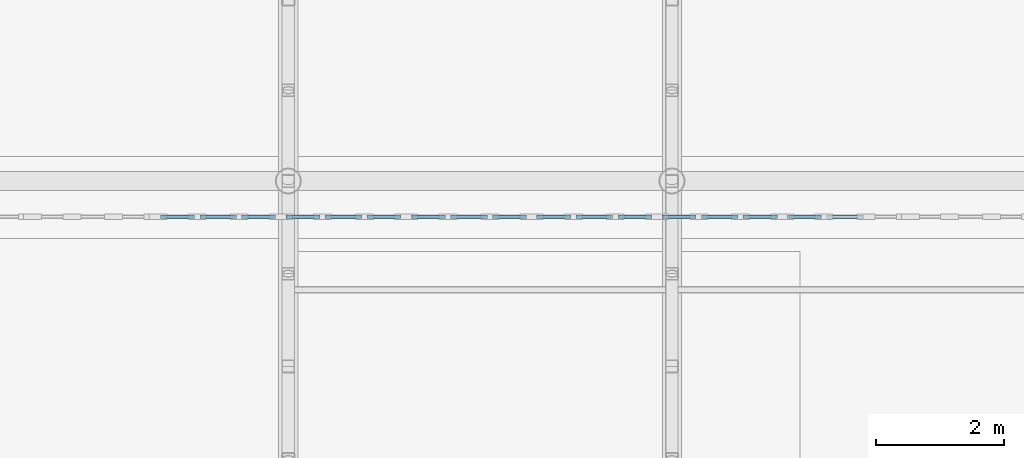
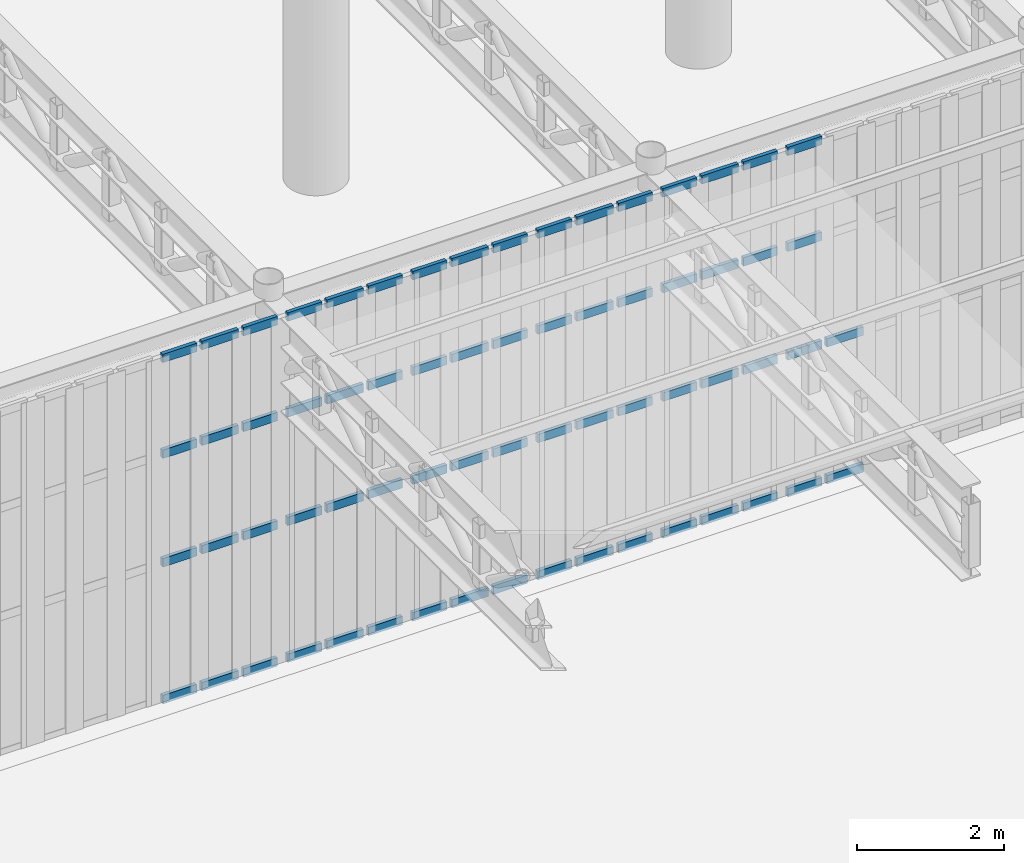
# One storey, part 54 of 118: 66 members, 6 elements without a shape of their own.
"""IFC4 building model written with IfcOpenShell, lengths in metres."""

from ifc_helpers import new_model, si_unit, direction, frame, origin, origin_2d, place, context, subcontext, project, spatial, rectangle, extrude, material, material_profile, profile_set, type_object, element, aggregate, save


model = new_model("IFC4")

# Units and contexts
model_context = context("Model", 3, precision=1e-05, world=origin(), true_north=direction((0.0, 1.0)))
body_context = subcontext(model_context, "Body", "Model", "MODEL_VIEW")
ifc_project = project(units=[si_unit("LENGTHUNIT", "METRE"), si_unit("AREAUNIT", "SQUARE_METRE"), si_unit("VOLUMEUNIT", "CUBIC_METRE"), si_unit("PLANEANGLEUNIT", "RADIAN"), si_unit("MASSUNIT", "GRAM", prefix="KILO")], contexts=[model_context])

# Site, building, storey
site_placement = place(None, origin())
site = spatial("IfcSite", under=ifc_project, at=site_placement, CompositionType="ELEMENT")
building_placement = place(site_placement, origin())
building = spatial("IfcBuilding", under=site, at=building_placement, Name="Kolvaren Corner Interchange", CompositionType="ELEMENT")
storey_placement = place(building_placement, origin())
storey = spatial("IfcBuildingStorey", under=building, at=storey_placement, Name="L01", CompositionType="ELEMENT", Elevation=0.0)

# Curtain wall, members
ifc_material_1 = material(Name="Unitised Aluminium and Solar-Control Glass Curtain Wall", Category="aluminium")
curtain_wall_type = type_object("IfcCurtainWallType", Name="CW-V1-PORTAL", PredefinedType="NOTDEFINED", material=ifc_material_1)
curtain_wall_1_placement = place(storey_placement, origin())
curtain_wall_1 = element("IfcCurtainWall", 1, at=curtain_wall_1_placement, inside=storey, type_object=curtain_wall_type, Name="South Portal Ground Curtain Wall Bay 12", PredefinedType="NOTDEFINED")
ifc_material_2 = material(Name="Anodised Aluminium Framing", Category="aluminium")
ifc_material_profile = material_profile(ifc_material_2, rectangle(XDim=0.06005859375, YDim=0.139892578125, at=origin_2d()), Name="ALU 60x140")
ifc_profile_set = profile_set([ifc_material_profile], Name="Anodised Aluminium Framing")
member_type = type_object("IfcMemberType", Name="TRN-ALU60x140", PredefinedType="USERDEFINED", material=ifc_profile_set)
member_1_placement = place(storey_placement, frame((94.002197265625, 24.340087890625, 0.030029296875), z_axis=(1.0, 0.0, 0.0), x_axis=(0.0, 1.0, 0.0)))
member_1 = element("IfcMember", 2, at=member_1_placement, type_object=member_type, Name="CW-012 transom 1.1", ObjectType="TRANSOM", PredefinedType="USERDEFINED", context=body_context, shape_type="SweptSolid", body=[
    extrude(rectangle(XDim=0.06005859375, YDim=0.139892578125, at=origin_2d()), origin(), (0.0, 0.0, 1.0), 0.53369140625),
])
member_2_placement = place(storey_placement, frame((94.002197265625, 24.340087890625, 2.300048828125), z_axis=(1.0, 0.0, 0.0), x_axis=(0.0, 1.0, 0.0)))
member_2 = element("IfcMember", 3, at=member_2_placement, type_object=member_type, Name="CW-012 transom 1.2", ObjectType="TRANSOM", PredefinedType="USERDEFINED", context=body_context, shape_type="SweptSolid", body=[
    extrude(rectangle(XDim=0.06005859375, YDim=0.139892578125, at=origin_2d()), origin(), (0.0, 0.0, 1.0), 0.53369140625),
])
member_3_placement = place(storey_placement, frame((94.002197265625, 24.340087890625, 4.10009765625), z_axis=(1.0, 0.0, 0.0), x_axis=(0.0, 1.0, 0.0)))
member_3 = element("IfcMember", 4, at=member_3_placement, type_object=member_type, Name="CW-012 transom 1.3", ObjectType="TRANSOM", PredefinedType="USERDEFINED", context=body_context, shape_type="SweptSolid", body=[
    extrude(rectangle(XDim=0.06005859375, YDim=0.139892578125, at=origin_2d()), origin(), (0.0, 0.0, 1.0), 0.53369140625),
])
member_4_placement = place(storey_placement, frame((94.002197265625, 24.340087890625, 5.68994140625), z_axis=(1.0, 0.0, 0.0), x_axis=(0.0, 1.0, 0.0)))
member_4 = element("IfcMember", 5, at=member_4_placement, type_object=member_type, Name="CW-012 transom 1.4", ObjectType="TRANSOM", PredefinedType="USERDEFINED", context=body_context, shape_type="SweptSolid", body=[
    extrude(rectangle(XDim=0.06005859375, YDim=0.139892578125, at=origin_2d()), origin(), (0.0, 0.0, 1.0), 0.53369140625),
])
member_5_placement = place(storey_placement, frame((94.615966796875, 24.340087890625, 0.030029296875), z_axis=(1.0, 0.0, 0.0), x_axis=(0.0, 1.0, 0.0)))
member_5 = element("IfcMember", 6, at=member_5_placement, type_object=member_type, Name="CW-012 transom 2.1", ObjectType="TRANSOM", PredefinedType="USERDEFINED", context=body_context, shape_type="SweptSolid", body=[
    extrude(rectangle(XDim=0.06005859375, YDim=0.139892578125, at=origin_2d()), origin(), (0.0, 0.0, 1.0), 0.57373046875),
])
member_6_placement = place(storey_placement, frame((94.615966796875, 24.340087890625, 2.300048828125), z_axis=(1.0, 0.0, 0.0), x_axis=(0.0, 1.0, 0.0)))
member_6 = element("IfcMember", 7, at=member_6_placement, type_object=member_type, Name="CW-012 transom 2.2", ObjectType="TRANSOM", PredefinedType="USERDEFINED", context=body_context, shape_type="SweptSolid", body=[
    extrude(rectangle(XDim=0.06005859375, YDim=0.139892578125, at=origin_2d()), origin(), (0.0, 0.0, 1.0), 0.57373046875),
])
member_7_placement = place(storey_placement, frame((94.615966796875, 24.340087890625, 4.10009765625), z_axis=(1.0, 0.0, 0.0), x_axis=(0.0, 1.0, 0.0)))
member_7 = element("IfcMember", 8, at=member_7_placement, type_object=member_type, Name="CW-012 transom 2.3", ObjectType="TRANSOM", PredefinedType="USERDEFINED", context=body_context, shape_type="SweptSolid", body=[
    extrude(rectangle(XDim=0.06005859375, YDim=0.139892578125, at=origin_2d()), origin(), (0.0, 0.0, 1.0), 0.57373046875),
])
member_8_placement = place(storey_placement, frame((94.615966796875, 24.340087890625, 5.68994140625), z_axis=(1.0, 0.0, 0.0), x_axis=(0.0, 1.0, 0.0)))
member_8 = element("IfcMember", 9, at=member_8_placement, type_object=member_type, Name="CW-012 transom 2.4", ObjectType="TRANSOM", PredefinedType="USERDEFINED", context=body_context, shape_type="SweptSolid", body=[
    extrude(rectangle(XDim=0.06005859375, YDim=0.139892578125, at=origin_2d()), origin(), (0.0, 0.0, 1.0), 0.57373046875),
])
member_9_placement = place(storey_placement, frame((95.26953125, 24.340087890625, 0.030029296875), z_axis=(1.0, 0.0, 0.0), x_axis=(0.0, 1.0, 0.0)))
member_9 = element("IfcMember", 10, at=member_9_placement, type_object=member_type, Name="CW-012 transom 3.1", ObjectType="TRANSOM", PredefinedType="USERDEFINED", context=body_context, shape_type="SweptSolid", body=[
    extrude(rectangle(XDim=0.06005859375, YDim=0.139892578125, at=origin_2d()), origin(), (0.0, 0.0, 1.0), 0.53369140625),
])
member_10_placement = place(storey_placement, frame((95.26953125, 24.340087890625, 2.300048828125), z_axis=(1.0, 0.0, 0.0), x_axis=(0.0, 1.0, 0.0)))
member_10 = element("IfcMember", 11, at=member_10_placement, type_object=member_type, Name="CW-012 transom 3.2", ObjectType="TRANSOM", PredefinedType="USERDEFINED", context=body_context, shape_type="SweptSolid", body=[
    extrude(rectangle(XDim=0.06005859375, YDim=0.139892578125, at=origin_2d()), origin(), (0.0, 0.0, 1.0), 0.53369140625),
])
member_11_placement = place(storey_placement, frame((95.26953125, 24.340087890625, 4.10009765625), z_axis=(1.0, 0.0, 0.0), x_axis=(0.0, 1.0, 0.0)))
member_11 = element("IfcMember", 12, at=member_11_placement, type_object=member_type, Name="CW-012 transom 3.3", ObjectType="TRANSOM", PredefinedType="USERDEFINED", context=body_context, shape_type="SweptSolid", body=[
    extrude(rectangle(XDim=0.06005859375, YDim=0.139892578125, at=origin_2d()), origin(), (0.0, 0.0, 1.0), 0.53369140625),
])
member_12_placement = place(storey_placement, frame((95.26953125, 24.340087890625, 5.68994140625), z_axis=(1.0, 0.0, 0.0), x_axis=(0.0, 1.0, 0.0)))
member_12 = element("IfcMember", 13, at=member_12_placement, type_object=member_type, Name="CW-012 transom 3.4", ObjectType="TRANSOM", PredefinedType="USERDEFINED", context=body_context, shape_type="SweptSolid", body=[
    extrude(rectangle(XDim=0.06005859375, YDim=0.139892578125, at=origin_2d()), origin(), (0.0, 0.0, 1.0), 0.53369140625),
])
aggregate(curtain_wall_1, [member_1, member_2, member_3, member_4, member_5, member_6, member_7, member_8, member_9, member_10, member_11, member_12])

curtain_wall_2_placement = place(storey_placement, origin())
curtain_wall_2 = element("IfcCurtainWall", 14, at=curtain_wall_2_placement, inside=storey, type_object=curtain_wall_type, Name="South Portal Ground Curtain Wall Bay 13", PredefinedType="NOTDEFINED")
member_13_placement = place(storey_placement, frame((95.96337890625, 24.340087890625, 0.030029296875), z_axis=(1.0, 0.0, 0.0), x_axis=(0.0, 1.0, 0.0)))
member_13 = element("IfcMember", 15, at=member_13_placement, type_object=member_type, Name="CW-013 transom 1.1", ObjectType="TRANSOM", PredefinedType="USERDEFINED", context=body_context, shape_type="SweptSolid", body=[
    extrude(rectangle(XDim=0.06005859375, YDim=0.139892578125, at=origin_2d()), origin(), (0.0, 0.0, 1.0), 0.53369140625),
])
member_14_placement = place(storey_placement, frame((95.96337890625, 24.340087890625, 2.300048828125), z_axis=(1.0, 0.0, 0.0), x_axis=(0.0, 1.0, 0.0)))
member_14 = element("IfcMember", 16, at=member_14_placement, type_object=member_type, Name="CW-013 transom 1.2", ObjectType="TRANSOM", PredefinedType="USERDEFINED", context=body_context, shape_type="SweptSolid", body=[
    extrude(rectangle(XDim=0.06005859375, YDim=0.139892578125, at=origin_2d()), origin(), (0.0, 0.0, 1.0), 0.53369140625),
])
member_15_placement = place(storey_placement, frame((95.96337890625, 24.340087890625, 4.10009765625), z_axis=(1.0, 0.0, 0.0), x_axis=(0.0, 1.0, 0.0)))
member_15 = element("IfcMember", 17, at=member_15_placement, type_object=member_type, Name="CW-013 transom 1.3", ObjectType="TRANSOM", PredefinedType="USERDEFINED", context=body_context, shape_type="SweptSolid", body=[
    extrude(rectangle(XDim=0.06005859375, YDim=0.139892578125, at=origin_2d()), origin(), (0.0, 0.0, 1.0), 0.53369140625),
])
member_16_placement = place(storey_placement, frame((95.96337890625, 24.340087890625, 5.68994140625), z_axis=(1.0, 0.0, 0.0), x_axis=(0.0, 1.0, 0.0)))
member_16 = element("IfcMember", 18, at=member_16_placement, type_object=member_type, Name="CW-013 transom 1.4", ObjectType="TRANSOM", PredefinedType="USERDEFINED", context=body_context, shape_type="SweptSolid", body=[
    extrude(rectangle(XDim=0.06005859375, YDim=0.139892578125, at=origin_2d()), origin(), (0.0, 0.0, 1.0), 0.53369140625),
])
member_17_placement = place(storey_placement, frame((96.576904296875, 24.340087890625, 0.030029296875), z_axis=(1.0, 0.0, 0.0), x_axis=(0.0, 1.0, 0.0)))
member_17 = element("IfcMember", 19, at=member_17_placement, type_object=member_type, Name="CW-013 transom 2.1", ObjectType="TRANSOM", PredefinedType="USERDEFINED", context=body_context, shape_type="SweptSolid", body=[
    extrude(rectangle(XDim=0.06005859375, YDim=0.139892578125, at=origin_2d()), origin(), (0.0, 0.0, 1.0), 0.57373046875),
])
member_18_placement = place(storey_placement, frame((96.576904296875, 24.340087890625, 2.300048828125), z_axis=(1.0, 0.0, 0.0), x_axis=(0.0, 1.0, 0.0)))
member_18 = element("IfcMember", 20, at=member_18_placement, type_object=member_type, Name="CW-013 transom 2.2", ObjectType="TRANSOM", PredefinedType="USERDEFINED", context=body_context, shape_type="SweptSolid", body=[
    extrude(rectangle(XDim=0.06005859375, YDim=0.139892578125, at=origin_2d()), origin(), (0.0, 0.0, 1.0), 0.57373046875),
])
member_19_placement = place(storey_placement, frame((96.576904296875, 24.340087890625, 4.10009765625), z_axis=(1.0, 0.0, 0.0), x_axis=(0.0, 1.0, 0.0)))
member_19 = element("IfcMember", 21, at=member_19_placement, type_object=member_type, Name="CW-013 transom 2.3", ObjectType="TRANSOM", PredefinedType="USERDEFINED", context=body_context, shape_type="SweptSolid", body=[
    extrude(rectangle(XDim=0.06005859375, YDim=0.139892578125, at=origin_2d()), origin(), (0.0, 0.0, 1.0), 0.57373046875),
])
member_20_placement = place(storey_placement, frame((96.576904296875, 24.340087890625, 5.68994140625), z_axis=(1.0, 0.0, 0.0), x_axis=(0.0, 1.0, 0.0)))
member_20 = element("IfcMember", 22, at=member_20_placement, type_object=member_type, Name="CW-013 transom 2.4", ObjectType="TRANSOM", PredefinedType="USERDEFINED", context=body_context, shape_type="SweptSolid", body=[
    extrude(rectangle(XDim=0.06005859375, YDim=0.139892578125, at=origin_2d()), origin(), (0.0, 0.0, 1.0), 0.57373046875),
])
member_21_placement = place(storey_placement, frame((97.230712890625, 24.340087890625, 0.030029296875), z_axis=(1.0, 0.0, 0.0), x_axis=(0.0, 1.0, 0.0)))
member_21 = element("IfcMember", 23, at=member_21_placement, type_object=member_type, Name="CW-013 transom 3.1", ObjectType="TRANSOM", PredefinedType="USERDEFINED", context=body_context, shape_type="SweptSolid", body=[
    extrude(rectangle(XDim=0.06005859375, YDim=0.139892578125, at=origin_2d()), origin(), (0.0, 0.0, 1.0), 0.53369140625),
])
member_22_placement = place(storey_placement, frame((97.230712890625, 24.340087890625, 2.300048828125), z_axis=(1.0, 0.0, 0.0), x_axis=(0.0, 1.0, 0.0)))
member_22 = element("IfcMember", 24, at=member_22_placement, type_object=member_type, Name="CW-013 transom 3.2", ObjectType="TRANSOM", PredefinedType="USERDEFINED", context=body_context, shape_type="SweptSolid", body=[
    extrude(rectangle(XDim=0.06005859375, YDim=0.139892578125, at=origin_2d()), origin(), (0.0, 0.0, 1.0), 0.53369140625),
])
member_23_placement = place(storey_placement, frame((97.230712890625, 24.340087890625, 4.10009765625), z_axis=(1.0, 0.0, 0.0), x_axis=(0.0, 1.0, 0.0)))
member_23 = element("IfcMember", 25, at=member_23_placement, type_object=member_type, Name="CW-013 transom 3.3", ObjectType="TRANSOM", PredefinedType="USERDEFINED", context=body_context, shape_type="SweptSolid", body=[
    extrude(rectangle(XDim=0.06005859375, YDim=0.139892578125, at=origin_2d()), origin(), (0.0, 0.0, 1.0), 0.53369140625),
])
member_24_placement = place(storey_placement, frame((97.230712890625, 24.340087890625, 5.68994140625), z_axis=(1.0, 0.0, 0.0), x_axis=(0.0, 1.0, 0.0)))
member_24 = element("IfcMember", 26, at=member_24_placement, type_object=member_type, Name="CW-013 transom 3.4", ObjectType="TRANSOM", PredefinedType="USERDEFINED", context=body_context, shape_type="SweptSolid", body=[
    extrude(rectangle(XDim=0.06005859375, YDim=0.139892578125, at=origin_2d()), origin(), (0.0, 0.0, 1.0), 0.53369140625),
])
aggregate(curtain_wall_2, [member_13, member_14, member_15, member_16, member_17, member_18, member_19, member_20, member_21, member_22, member_23, member_24])

curtain_wall_3_placement = place(storey_placement, origin())
curtain_wall_3 = element("IfcCurtainWall", 27, at=curtain_wall_3_placement, inside=storey, type_object=curtain_wall_type, Name="South Portal Ground Curtain Wall Bay 14", PredefinedType="NOTDEFINED")
member_25_placement = place(storey_placement, frame((97.92431640625, 24.340087890625, 0.030029296875), z_axis=(1.0, 0.0, 0.0), x_axis=(0.0, 1.0, 0.0)))
member_25 = element("IfcMember", 28, at=member_25_placement, type_object=member_type, Name="CW-014 transom 1.1", ObjectType="TRANSOM", PredefinedType="USERDEFINED", context=body_context, shape_type="SweptSolid", body=[
    extrude(rectangle(XDim=0.06005859375, YDim=0.139892578125, at=origin_2d()), origin(), (0.0, 0.0, 1.0), 0.533935546875),
])
member_26_placement = place(storey_placement, frame((97.92431640625, 24.340087890625, 2.300048828125), z_axis=(1.0, 0.0, 0.0), x_axis=(0.0, 1.0, 0.0)))
member_26 = element("IfcMember", 29, at=member_26_placement, type_object=member_type, Name="CW-014 transom 1.2", ObjectType="TRANSOM", PredefinedType="USERDEFINED", context=body_context, shape_type="SweptSolid", body=[
    extrude(rectangle(XDim=0.06005859375, YDim=0.139892578125, at=origin_2d()), origin(), (0.0, 0.0, 1.0), 0.533935546875),
])
member_27_placement = place(storey_placement, frame((97.92431640625, 24.340087890625, 4.10009765625), z_axis=(1.0, 0.0, 0.0), x_axis=(0.0, 1.0, 0.0)))
member_27 = element("IfcMember", 30, at=member_27_placement, type_object=member_type, Name="CW-014 transom 1.3", ObjectType="TRANSOM", PredefinedType="USERDEFINED", context=body_context, shape_type="SweptSolid", body=[
    extrude(rectangle(XDim=0.06005859375, YDim=0.139892578125, at=origin_2d()), origin(), (0.0, 0.0, 1.0), 0.533935546875),
])
member_28_placement = place(storey_placement, frame((97.92431640625, 24.340087890625, 5.68994140625), z_axis=(1.0, 0.0, 0.0), x_axis=(0.0, 1.0, 0.0)))
member_28 = element("IfcMember", 31, at=member_28_placement, type_object=member_type, Name="CW-014 transom 1.4", ObjectType="TRANSOM", PredefinedType="USERDEFINED", context=body_context, shape_type="SweptSolid", body=[
    extrude(rectangle(XDim=0.06005859375, YDim=0.139892578125, at=origin_2d()), origin(), (0.0, 0.0, 1.0), 0.533935546875),
])
member_29_placement = place(storey_placement, frame((98.5380859375, 24.340087890625, 0.030029296875), z_axis=(1.0, 0.0, 0.0), x_axis=(0.0, 1.0, 0.0)))
member_29 = element("IfcMember", 32, at=member_29_placement, type_object=member_type, Name="CW-014 transom 2.1", ObjectType="TRANSOM", PredefinedType="USERDEFINED", context=body_context, shape_type="SweptSolid", body=[
    extrude(rectangle(XDim=0.06005859375, YDim=0.139892578125, at=origin_2d()), origin(), (0.0, 0.0, 1.0), 0.57373046875),
])
member_30_placement = place(storey_placement, frame((98.5380859375, 24.340087890625, 2.300048828125), z_axis=(1.0, 0.0, 0.0), x_axis=(0.0, 1.0, 0.0)))
member_30 = element("IfcMember", 33, at=member_30_placement, type_object=member_type, Name="CW-014 transom 2.2", ObjectType="TRANSOM", PredefinedType="USERDEFINED", context=body_context, shape_type="SweptSolid", body=[
    extrude(rectangle(XDim=0.06005859375, YDim=0.139892578125, at=origin_2d()), origin(), (0.0, 0.0, 1.0), 0.57373046875),
])
member_31_placement = place(storey_placement, frame((98.5380859375, 24.340087890625, 4.10009765625), z_axis=(1.0, 0.0, 0.0), x_axis=(0.0, 1.0, 0.0)))
member_31 = element("IfcMember", 34, at=member_31_placement, type_object=member_type, Name="CW-014 transom 2.3", ObjectType="TRANSOM", PredefinedType="USERDEFINED", context=body_context, shape_type="SweptSolid", body=[
    extrude(rectangle(XDim=0.06005859375, YDim=0.139892578125, at=origin_2d()), origin(), (0.0, 0.0, 1.0), 0.57373046875),
])
member_32_placement = place(storey_placement, frame((98.5380859375, 24.340087890625, 5.68994140625), z_axis=(1.0, 0.0, 0.0), x_axis=(0.0, 1.0, 0.0)))
member_32 = element("IfcMember", 35, at=member_32_placement, type_object=member_type, Name="CW-014 transom 2.4", ObjectType="TRANSOM", PredefinedType="USERDEFINED", context=body_context, shape_type="SweptSolid", body=[
    extrude(rectangle(XDim=0.06005859375, YDim=0.139892578125, at=origin_2d()), origin(), (0.0, 0.0, 1.0), 0.57373046875),
])
member_33_placement = place(storey_placement, frame((99.19189453125, 24.340087890625, 0.030029296875), z_axis=(1.0, 0.0, 0.0), x_axis=(0.0, 1.0, 0.0)))
member_33 = element("IfcMember", 36, at=member_33_placement, type_object=member_type, Name="CW-014 transom 3.1", ObjectType="TRANSOM", PredefinedType="USERDEFINED", context=body_context, shape_type="SweptSolid", body=[
    extrude(rectangle(XDim=0.06005859375, YDim=0.139892578125, at=origin_2d()), origin(), (0.0, 0.0, 1.0), 0.53369140625),
])
member_34_placement = place(storey_placement, frame((99.19189453125, 24.340087890625, 2.300048828125), z_axis=(1.0, 0.0, 0.0), x_axis=(0.0, 1.0, 0.0)))
member_34 = element("IfcMember", 37, at=member_34_placement, type_object=member_type, Name="CW-014 transom 3.2", ObjectType="TRANSOM", PredefinedType="USERDEFINED", context=body_context, shape_type="SweptSolid", body=[
    extrude(rectangle(XDim=0.06005859375, YDim=0.139892578125, at=origin_2d()), origin(), (0.0, 0.0, 1.0), 0.53369140625),
])
member_35_placement = place(storey_placement, frame((99.19189453125, 24.340087890625, 4.10009765625), z_axis=(1.0, 0.0, 0.0), x_axis=(0.0, 1.0, 0.0)))
member_35 = element("IfcMember", 38, at=member_35_placement, type_object=member_type, Name="CW-014 transom 3.3", ObjectType="TRANSOM", PredefinedType="USERDEFINED", context=body_context, shape_type="SweptSolid", body=[
    extrude(rectangle(XDim=0.06005859375, YDim=0.139892578125, at=origin_2d()), origin(), (0.0, 0.0, 1.0), 0.53369140625),
])
member_36_placement = place(storey_placement, frame((99.19189453125, 24.340087890625, 5.68994140625), z_axis=(1.0, 0.0, 0.0), x_axis=(0.0, 1.0, 0.0)))
member_36 = element("IfcMember", 39, at=member_36_placement, type_object=member_type, Name="CW-014 transom 3.4", ObjectType="TRANSOM", PredefinedType="USERDEFINED", context=body_context, shape_type="SweptSolid", body=[
    extrude(rectangle(XDim=0.06005859375, YDim=0.139892578125, at=origin_2d()), origin(), (0.0, 0.0, 1.0), 0.53369140625),
])
aggregate(curtain_wall_3, [member_25, member_26, member_27, member_28, member_29, member_30, member_31, member_32, member_33, member_34, member_35, member_36])

curtain_wall_4_placement = place(storey_placement, origin())
curtain_wall_4 = element("IfcCurtainWall", 40, at=curtain_wall_4_placement, inside=storey, type_object=curtain_wall_type, Name="South Portal Ground Curtain Wall Bay 15", PredefinedType="NOTDEFINED")
member_37_placement = place(storey_placement, frame((99.885498046875, 24.340087890625, 0.030029296875), z_axis=(1.0, 0.0, 0.0), x_axis=(0.0, 1.0, 0.0)))
member_37 = element("IfcMember", 41, at=member_37_placement, type_object=member_type, Name="CW-015 transom 1.1", ObjectType="TRANSOM", PredefinedType="USERDEFINED", context=body_context, shape_type="SweptSolid", body=[
    extrude(rectangle(XDim=0.06005859375, YDim=0.139892578125, at=origin_2d()), origin(), (0.0, 0.0, 1.0), 0.53369140625),
])
member_38_placement = place(storey_placement, frame((99.885498046875, 24.340087890625, 2.300048828125), z_axis=(1.0, 0.0, 0.0), x_axis=(0.0, 1.0, 0.0)))
member_38 = element("IfcMember", 42, at=member_38_placement, type_object=member_type, Name="CW-015 transom 1.2", ObjectType="TRANSOM", PredefinedType="USERDEFINED", context=body_context, shape_type="SweptSolid", body=[
    extrude(rectangle(XDim=0.06005859375, YDim=0.139892578125, at=origin_2d()), origin(), (0.0, 0.0, 1.0), 0.53369140625),
])
member_39_placement = place(storey_placement, frame((99.885498046875, 24.340087890625, 4.10009765625), z_axis=(1.0, 0.0, 0.0), x_axis=(0.0, 1.0, 0.0)))
member_39 = element("IfcMember", 43, at=member_39_placement, type_object=member_type, Name="CW-015 transom 1.3", ObjectType="TRANSOM", PredefinedType="USERDEFINED", context=body_context, shape_type="SweptSolid", body=[
    extrude(rectangle(XDim=0.06005859375, YDim=0.139892578125, at=origin_2d()), origin(), (0.0, 0.0, 1.0), 0.53369140625),
])
member_40_placement = place(storey_placement, frame((99.885498046875, 24.340087890625, 5.68994140625), z_axis=(1.0, 0.0, 0.0), x_axis=(0.0, 1.0, 0.0)))
member_40 = element("IfcMember", 44, at=member_40_placement, type_object=member_type, Name="CW-015 transom 1.4", ObjectType="TRANSOM", PredefinedType="USERDEFINED", context=body_context, shape_type="SweptSolid", body=[
    extrude(rectangle(XDim=0.06005859375, YDim=0.139892578125, at=origin_2d()), origin(), (0.0, 0.0, 1.0), 0.53369140625),
])
member_41_placement = place(storey_placement, frame((100.499267578125, 24.340087890625, 0.030029296875), z_axis=(1.0, 0.0, 0.0), x_axis=(0.0, 1.0, 0.0)))
member_41 = element("IfcMember", 45, at=member_41_placement, type_object=member_type, Name="CW-015 transom 2.1", ObjectType="TRANSOM", PredefinedType="USERDEFINED", context=body_context, shape_type="SweptSolid", body=[
    extrude(rectangle(XDim=0.06005859375, YDim=0.139892578125, at=origin_2d()), origin(), (0.0, 0.0, 1.0), 0.57373046875),
])
member_42_placement = place(storey_placement, frame((100.499267578125, 24.340087890625, 2.300048828125), z_axis=(1.0, 0.0, 0.0), x_axis=(0.0, 1.0, 0.0)))
member_42 = element("IfcMember", 46, at=member_42_placement, type_object=member_type, Name="CW-015 transom 2.2", ObjectType="TRANSOM", PredefinedType="USERDEFINED", context=body_context, shape_type="SweptSolid", body=[
    extrude(rectangle(XDim=0.06005859375, YDim=0.139892578125, at=origin_2d()), origin(), (0.0, 0.0, 1.0), 0.57373046875),
])
member_43_placement = place(storey_placement, frame((100.499267578125, 24.340087890625, 4.10009765625), z_axis=(1.0, 0.0, 0.0), x_axis=(0.0, 1.0, 0.0)))
member_43 = element("IfcMember", 47, at=member_43_placement, type_object=member_type, Name="CW-015 transom 2.3", ObjectType="TRANSOM", PredefinedType="USERDEFINED", context=body_context, shape_type="SweptSolid", body=[
    extrude(rectangle(XDim=0.06005859375, YDim=0.139892578125, at=origin_2d()), origin(), (0.0, 0.0, 1.0), 0.57373046875),
])
member_44_placement = place(storey_placement, frame((100.499267578125, 24.340087890625, 5.68994140625), z_axis=(1.0, 0.0, 0.0), x_axis=(0.0, 1.0, 0.0)))
member_44 = element("IfcMember", 48, at=member_44_placement, type_object=member_type, Name="CW-015 transom 2.4", ObjectType="TRANSOM", PredefinedType="USERDEFINED", context=body_context, shape_type="SweptSolid", body=[
    extrude(rectangle(XDim=0.06005859375, YDim=0.139892578125, at=origin_2d()), origin(), (0.0, 0.0, 1.0), 0.57373046875),
])
member_45_placement = place(storey_placement, frame((101.153076171875, 24.340087890625, 0.030029296875), z_axis=(1.0, 0.0, 0.0), x_axis=(0.0, 1.0, 0.0)))
member_45 = element("IfcMember", 49, at=member_45_placement, type_object=member_type, Name="CW-015 transom 3.1", ObjectType="TRANSOM", PredefinedType="USERDEFINED", context=body_context, shape_type="SweptSolid", body=[
    extrude(rectangle(XDim=0.06005859375, YDim=0.139892578125, at=origin_2d()), origin(), (0.0, 0.0, 1.0), 0.53369140625),
])
member_46_placement = place(storey_placement, frame((101.153076171875, 24.340087890625, 2.300048828125), z_axis=(1.0, 0.0, 0.0), x_axis=(0.0, 1.0, 0.0)))
member_46 = element("IfcMember", 50, at=member_46_placement, type_object=member_type, Name="CW-015 transom 3.2", ObjectType="TRANSOM", PredefinedType="USERDEFINED", context=body_context, shape_type="SweptSolid", body=[
    extrude(rectangle(XDim=0.06005859375, YDim=0.139892578125, at=origin_2d()), origin(), (0.0, 0.0, 1.0), 0.53369140625),
])
member_47_placement = place(storey_placement, frame((101.153076171875, 24.340087890625, 4.10009765625), z_axis=(1.0, 0.0, 0.0), x_axis=(0.0, 1.0, 0.0)))
member_47 = element("IfcMember", 51, at=member_47_placement, type_object=member_type, Name="CW-015 transom 3.3", ObjectType="TRANSOM", PredefinedType="USERDEFINED", context=body_context, shape_type="SweptSolid", body=[
    extrude(rectangle(XDim=0.06005859375, YDim=0.139892578125, at=origin_2d()), origin(), (0.0, 0.0, 1.0), 0.53369140625),
])
member_48_placement = place(storey_placement, frame((101.153076171875, 24.340087890625, 5.68994140625), z_axis=(1.0, 0.0, 0.0), x_axis=(0.0, 1.0, 0.0)))
member_48 = element("IfcMember", 52, at=member_48_placement, type_object=member_type, Name="CW-015 transom 3.4", ObjectType="TRANSOM", PredefinedType="USERDEFINED", context=body_context, shape_type="SweptSolid", body=[
    extrude(rectangle(XDim=0.06005859375, YDim=0.139892578125, at=origin_2d()), origin(), (0.0, 0.0, 1.0), 0.53369140625),
])
aggregate(curtain_wall_4, [member_37, member_38, member_39, member_40, member_41, member_42, member_43, member_44, member_45, member_46, member_47, member_48])

curtain_wall_5_placement = place(storey_placement, origin())
curtain_wall_5 = element("IfcCurtainWall", 53, at=curtain_wall_5_placement, inside=storey, type_object=curtain_wall_type, Name="South Portal Ground Curtain Wall Bay 16", PredefinedType="NOTDEFINED")
member_49_placement = place(storey_placement, frame((101.8466796875, 24.340087890625, 0.030029296875), z_axis=(1.0, 0.0, 0.0), x_axis=(0.0, 1.0, 0.0)))
member_49 = element("IfcMember", 54, at=member_49_placement, type_object=member_type, Name="CW-016 transom 1.1", ObjectType="TRANSOM", PredefinedType="USERDEFINED", context=body_context, shape_type="SweptSolid", body=[
    extrude(rectangle(XDim=0.06005859375, YDim=0.139892578125, at=origin_2d()), origin(), (0.0, 0.0, 1.0), 0.53369140625),
])
member_50_placement = place(storey_placement, frame((101.8466796875, 24.340087890625, 2.300048828125), z_axis=(1.0, 0.0, 0.0), x_axis=(0.0, 1.0, 0.0)))
member_50 = element("IfcMember", 55, at=member_50_placement, type_object=member_type, Name="CW-016 transom 1.2", ObjectType="TRANSOM", PredefinedType="USERDEFINED", context=body_context, shape_type="SweptSolid", body=[
    extrude(rectangle(XDim=0.06005859375, YDim=0.139892578125, at=origin_2d()), origin(), (0.0, 0.0, 1.0), 0.53369140625),
])
member_51_placement = place(storey_placement, frame((101.8466796875, 24.340087890625, 4.10009765625), z_axis=(1.0, 0.0, 0.0), x_axis=(0.0, 1.0, 0.0)))
member_51 = element("IfcMember", 56, at=member_51_placement, type_object=member_type, Name="CW-016 transom 1.3", ObjectType="TRANSOM", PredefinedType="USERDEFINED", context=body_context, shape_type="SweptSolid", body=[
    extrude(rectangle(XDim=0.06005859375, YDim=0.139892578125, at=origin_2d()), origin(), (0.0, 0.0, 1.0), 0.53369140625),
])
member_52_placement = place(storey_placement, frame((101.8466796875, 24.340087890625, 5.68994140625), z_axis=(1.0, 0.0, 0.0), x_axis=(0.0, 1.0, 0.0)))
member_52 = element("IfcMember", 57, at=member_52_placement, type_object=member_type, Name="CW-016 transom 1.4", ObjectType="TRANSOM", PredefinedType="USERDEFINED", context=body_context, shape_type="SweptSolid", body=[
    extrude(rectangle(XDim=0.06005859375, YDim=0.139892578125, at=origin_2d()), origin(), (0.0, 0.0, 1.0), 0.53369140625),
])
member_53_placement = place(storey_placement, frame((102.46044921875, 24.340087890625, 0.030029296875), z_axis=(1.0, 0.0, 0.0), x_axis=(0.0, 1.0, 0.0)))
member_53 = element("IfcMember", 58, at=member_53_placement, type_object=member_type, Name="CW-016 transom 2.1", ObjectType="TRANSOM", PredefinedType="USERDEFINED", context=body_context, shape_type="SweptSolid", body=[
    extrude(rectangle(XDim=0.06005859375, YDim=0.139892578125, at=origin_2d()), origin(), (0.0, 0.0, 1.0), 0.57373046875),
])
member_54_placement = place(storey_placement, frame((102.46044921875, 24.340087890625, 2.300048828125), z_axis=(1.0, 0.0, 0.0), x_axis=(0.0, 1.0, 0.0)))
member_54 = element("IfcMember", 59, at=member_54_placement, type_object=member_type, Name="CW-016 transom 2.2", ObjectType="TRANSOM", PredefinedType="USERDEFINED", context=body_context, shape_type="SweptSolid", body=[
    extrude(rectangle(XDim=0.06005859375, YDim=0.139892578125, at=origin_2d()), origin(), (0.0, 0.0, 1.0), 0.57373046875),
])
member_55_placement = place(storey_placement, frame((102.46044921875, 24.340087890625, 4.10009765625), z_axis=(1.0, 0.0, 0.0), x_axis=(0.0, 1.0, 0.0)))
member_55 = element("IfcMember", 60, at=member_55_placement, type_object=member_type, Name="CW-016 transom 2.3", ObjectType="TRANSOM", PredefinedType="USERDEFINED", context=body_context, shape_type="SweptSolid", body=[
    extrude(rectangle(XDim=0.06005859375, YDim=0.139892578125, at=origin_2d()), origin(), (0.0, 0.0, 1.0), 0.57373046875),
])
member_56_placement = place(storey_placement, frame((102.46044921875, 24.340087890625, 5.68994140625), z_axis=(1.0, 0.0, 0.0), x_axis=(0.0, 1.0, 0.0)))
member_56 = element("IfcMember", 61, at=member_56_placement, type_object=member_type, Name="CW-016 transom 2.4", ObjectType="TRANSOM", PredefinedType="USERDEFINED", context=body_context, shape_type="SweptSolid", body=[
    extrude(rectangle(XDim=0.06005859375, YDim=0.139892578125, at=origin_2d()), origin(), (0.0, 0.0, 1.0), 0.57373046875),
])
member_57_placement = place(storey_placement, frame((103.114013671875, 24.340087890625, 0.030029296875), z_axis=(1.0, 0.0, 0.0), x_axis=(0.0, 1.0, 0.0)))
member_57 = element("IfcMember", 62, at=member_57_placement, type_object=member_type, Name="CW-016 transom 3.1", ObjectType="TRANSOM", PredefinedType="USERDEFINED", context=body_context, shape_type="SweptSolid", body=[
    extrude(rectangle(XDim=0.06005859375, YDim=0.139892578125, at=origin_2d()), origin(), (0.0, 0.0, 1.0), 0.53369140625),
])
member_58_placement = place(storey_placement, frame((103.114013671875, 24.340087890625, 2.300048828125), z_axis=(1.0, 0.0, 0.0), x_axis=(0.0, 1.0, 0.0)))
member_58 = element("IfcMember", 63, at=member_58_placement, type_object=member_type, Name="CW-016 transom 3.2", ObjectType="TRANSOM", PredefinedType="USERDEFINED", context=body_context, shape_type="SweptSolid", body=[
    extrude(rectangle(XDim=0.06005859375, YDim=0.139892578125, at=origin_2d()), origin(), (0.0, 0.0, 1.0), 0.53369140625),
])
member_59_placement = place(storey_placement, frame((103.114013671875, 24.340087890625, 4.10009765625), z_axis=(1.0, 0.0, 0.0), x_axis=(0.0, 1.0, 0.0)))
member_59 = element("IfcMember", 64, at=member_59_placement, type_object=member_type, Name="CW-016 transom 3.3", ObjectType="TRANSOM", PredefinedType="USERDEFINED", context=body_context, shape_type="SweptSolid", body=[
    extrude(rectangle(XDim=0.06005859375, YDim=0.139892578125, at=origin_2d()), origin(), (0.0, 0.0, 1.0), 0.53369140625),
])
member_60_placement = place(storey_placement, frame((103.114013671875, 24.340087890625, 5.68994140625), z_axis=(1.0, 0.0, 0.0), x_axis=(0.0, 1.0, 0.0)))
member_60 = element("IfcMember", 65, at=member_60_placement, type_object=member_type, Name="CW-016 transom 3.4", ObjectType="TRANSOM", PredefinedType="USERDEFINED", context=body_context, shape_type="SweptSolid", body=[
    extrude(rectangle(XDim=0.06005859375, YDim=0.139892578125, at=origin_2d()), origin(), (0.0, 0.0, 1.0), 0.53369140625),
])
aggregate(curtain_wall_5, [member_49, member_50, member_51, member_52, member_53, member_54, member_55, member_56, member_57, member_58, member_59, member_60])

curtain_wall_6_placement = place(storey_placement, origin())
curtain_wall_6 = element("IfcCurtainWall", 66, at=curtain_wall_6_placement, inside=storey, type_object=curtain_wall_type, Name="South Portal Ground Curtain Wall Bay 17", PredefinedType="NOTDEFINED")
member_61_placement = place(storey_placement, frame((103.807861328125, 24.340087890625, 0.030029296875), z_axis=(1.0, 0.0, 0.0), x_axis=(0.0, 1.0, 0.0)))
member_61 = element("IfcMember", 67, at=member_61_placement, type_object=member_type, Name="CW-017 transom 1.1", ObjectType="TRANSOM", PredefinedType="USERDEFINED", context=body_context, shape_type="SweptSolid", body=[
    extrude(rectangle(XDim=0.06005859375, YDim=0.139892578125, at=origin_2d()), origin(), (0.0, 0.0, 1.0), 0.53369140625),
])
member_62_placement = place(storey_placement, frame((103.807861328125, 24.340087890625, 2.300048828125), z_axis=(1.0, 0.0, 0.0), x_axis=(0.0, 1.0, 0.0)))
member_62 = element("IfcMember", 68, at=member_62_placement, type_object=member_type, Name="CW-017 transom 1.2", ObjectType="TRANSOM", PredefinedType="USERDEFINED", context=body_context, shape_type="SweptSolid", body=[
    extrude(rectangle(XDim=0.06005859375, YDim=0.139892578125, at=origin_2d()), origin(), (0.0, 0.0, 1.0), 0.53369140625),
])
member_63_placement = place(storey_placement, frame((103.807861328125, 24.340087890625, 4.10009765625), z_axis=(1.0, 0.0, 0.0), x_axis=(0.0, 1.0, 0.0)))
member_63 = element("IfcMember", 69, at=member_63_placement, type_object=member_type, Name="CW-017 transom 1.3", ObjectType="TRANSOM", PredefinedType="USERDEFINED", context=body_context, shape_type="SweptSolid", body=[
    extrude(rectangle(XDim=0.06005859375, YDim=0.139892578125, at=origin_2d()), origin(), (0.0, 0.0, 1.0), 0.53369140625),
])
member_64_placement = place(storey_placement, frame((103.807861328125, 24.340087890625, 5.68994140625), z_axis=(1.0, 0.0, 0.0), x_axis=(0.0, 1.0, 0.0)))
member_64 = element("IfcMember", 70, at=member_64_placement, type_object=member_type, Name="CW-017 transom 1.4", ObjectType="TRANSOM", PredefinedType="USERDEFINED", context=body_context, shape_type="SweptSolid", body=[
    extrude(rectangle(XDim=0.06005859375, YDim=0.139892578125, at=origin_2d()), origin(), (0.0, 0.0, 1.0), 0.53369140625),
])
member_65_placement = place(storey_placement, frame((104.42138671875, 24.340087890625, 0.030029296875), z_axis=(1.0, 0.0, 0.0), x_axis=(0.0, 1.0, 0.0)))
member_65 = element("IfcMember", 71, at=member_65_placement, type_object=member_type, Name="CW-017 transom 2.1", ObjectType="TRANSOM", PredefinedType="USERDEFINED", context=body_context, shape_type="SweptSolid", body=[
    extrude(rectangle(XDim=0.06005859375, YDim=0.139892578125, at=origin_2d()), origin(), (0.0, 0.0, 1.0), 0.57373046875),
])
member_66_placement = place(storey_placement, frame((104.42138671875, 24.340087890625, 2.300048828125), z_axis=(1.0, 0.0, 0.0), x_axis=(0.0, 1.0, 0.0)))
member_66 = element("IfcMember", 72, at=member_66_placement, type_object=member_type, Name="CW-017 transom 2.2", ObjectType="TRANSOM", PredefinedType="USERDEFINED", context=body_context, shape_type="SweptSolid", body=[
    extrude(rectangle(XDim=0.06005859375, YDim=0.139892578125, at=origin_2d()), origin(), (0.0, 0.0, 1.0), 0.57373046875),
])
aggregate(curtain_wall_6, [member_61, member_62, member_63, member_64, member_65, member_66])

save(model, "model.ifc")
